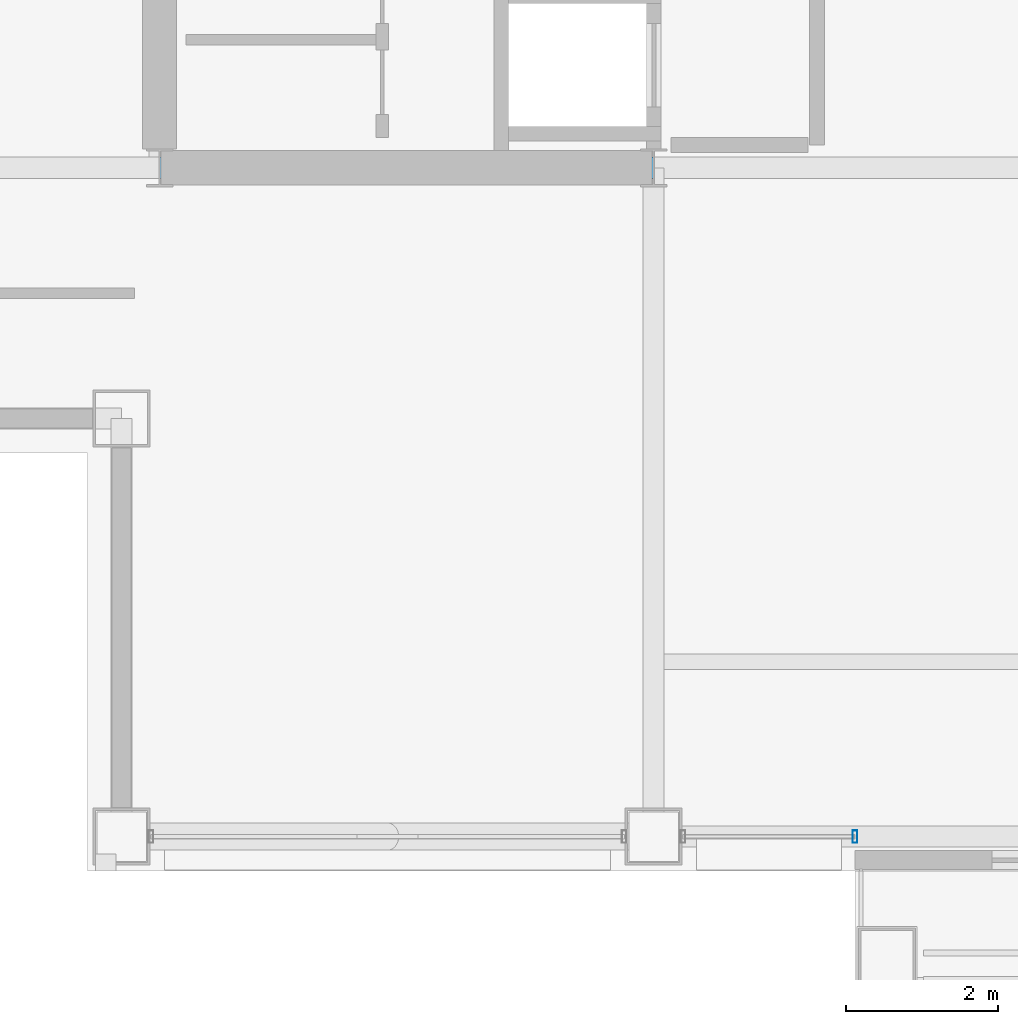
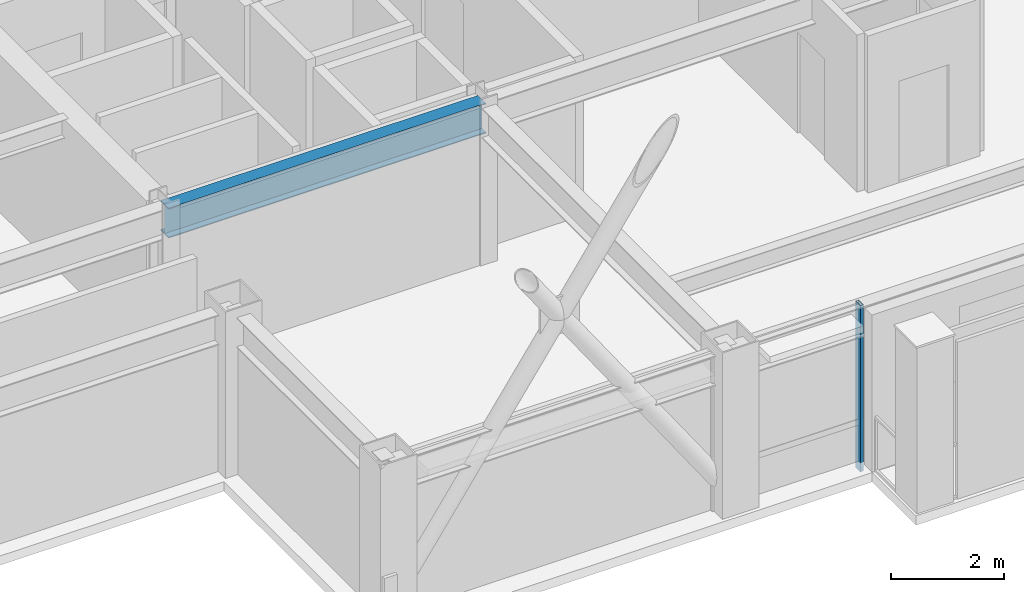
# One storey, part 6 of 30: 1 beam, 1 member, 1 element without a shape of its own.
"""IFC4 building model written with IfcOpenShell, lengths in metres."""

import ifcopenshell
import ifcopenshell.guid

model = None  # the IFC model being written
_history = None  # IfcOwnerHistory: only IFC2X3 demands one
_inside = {}  # id of a spatial element -> (the spatial element, [elements in it])
_under = {}  # id of a project, library or spatial element -> (it, [spatial elements below it])
_declared = {}  # id of a project -> (the project, [libraries it declares])
_typed = {}  # id of a type object -> (the type object, [elements of that type])
_made_of = {}  # id of a material, layer set ... -> (it, [elements and type objects made of it])


def new_model(schema):
    """Start an empty IFC model of exactly this schema.

    Asked for "IFC4X3", IfcOpenShell would pick the latest addendum, in which some entities
    have other attributes; the version numbers below select the first issue.
    IFC2X3 requires an IfcOwnerHistory on every rooted entity: one is made here for all.
    """
    global model, _history
    if schema == "IFC4X3":
        model = ifcopenshell.file(schema_version=(4, 3, 0, 0))
    else:
        model = ifcopenshell.file(schema=schema)
    _inside.clear()
    _under.clear()
    _declared.clear()
    _typed.clear()
    _made_of.clear()
    _history = None
    if model.schema == "IFC2X3":
        org = make("IfcOrganization", Name="unknown")
        user = make(
            "IfcPersonAndOrganization",
            ThePerson=make("IfcPerson", FamilyName="unknown"),
            TheOrganization=org,
        )
        app = make(
            "IfcApplication",
            ApplicationDeveloper=org,
            Version="unknown",
            ApplicationFullName="unknown",
            ApplicationIdentifier="unknown",
        )
        _history = make(
            "IfcOwnerHistory",
            OwningUser=user,
            OwningApplication=app,
            ChangeAction="ADDED",
            CreationDate=0,
        )
    return model


def make(cls, **values):
    """One entity of the class cls with the attributes given. An attribute that is None is left unset."""
    return model.create_entity(
        cls, **{name: value for name, value in values.items() if value is not None}
    )


def rooted(cls, **values):
    """An entity with a GlobalId (a new one), such as an element, a storey or a relation."""
    return make(cls, GlobalId=ifcopenshell.guid.new(), OwnerHistory=_history, **values)


def si_unit(unit_type, name, prefix=None):
    """IfcSIUnit, for example si_unit("LENGTHUNIT", "METRE", prefix="MILLI")."""
    return make("IfcSIUnit", UnitType=unit_type, Prefix=prefix, Name=name)


def assignment(units):
    """IfcUnitAssignment: the units of a project."""
    return None if units is None else make("IfcUnitAssignment", Units=units)


def point(xyz):
    """IfcCartesianPoint."""
    return None if xyz is None else make("IfcCartesianPoint", Coordinates=xyz)


def direction(xyz):
    """IfcDirection."""
    return None if xyz is None else make("IfcDirection", DirectionRatios=xyz)


def frame(location, z_axis=None, x_axis=None):
    """IfcAxis2Placement3D, a coordinate frame: its origin and axes. An axis left out is left unset."""
    return make(
        "IfcAxis2Placement3D",
        Location=point(location),
        Axis=direction(z_axis),
        RefDirection=direction(x_axis),
    )


def frame_2d(location, x_axis=None):
    """IfcAxis2Placement2D, a coordinate frame in the plane: its origin and x axis."""
    return make(
        "IfcAxis2Placement2D", Location=point(location), RefDirection=direction(x_axis)
    )


def origin():
    """The frame at (0, 0, 0) with its axes left unset."""
    return frame((0.0, 0.0, 0.0))


def origin_2d():
    """The frame at (0, 0) in the plane with its x axis left unset."""
    return frame_2d((0.0, 0.0))


def place(relative_to, where):
    """IfcLocalPlacement: puts the frame where relative to a parent placement (None: the world)."""
    return make(
        "IfcLocalPlacement", PlacementRelTo=relative_to, RelativePlacement=where
    )


def context(
    kind, dimensions, precision=None, world=None, true_north=None, identifier=None
):
    """IfcGeometricRepresentationContext, for example the 3D "Model" context."""
    return make(
        "IfcGeometricRepresentationContext",
        ContextIdentifier=identifier,
        ContextType=kind,
        CoordinateSpaceDimension=dimensions,
        Precision=precision,
        WorldCoordinateSystem=world,
        TrueNorth=true_north,
    )


def subcontext(parent, identifier, kind, view, scale=None):
    """IfcGeometricRepresentationSubContext, for example "Body" below "Model"."""
    return make(
        "IfcGeometricRepresentationSubContext",
        ContextIdentifier=identifier,
        ContextType=kind,
        ParentContext=parent,
        TargetScale=scale,
        TargetView=view,
    )


def project(units=None, contexts=None):
    """IfcProject with its units and contexts."""
    return rooted(
        "IfcProject",
        Name="project",
        RepresentationContexts=contexts,
        UnitsInContext=assignment(units),
    )


def spatial(cls, under=None, at=None, **own):
    """A site, building, storey or space (cls), placed at a placement, below another one or the project."""
    s = rooted(cls, ObjectPlacement=at, **own)
    if under is not None:
        _under.setdefault(under.id(), (under, []))[1].append(s)
    return s


def profile(cls, at=None, kind="AREA", **sizes):
    """A parametric profile (cls). Its sizes go by their IFC names, for example OverallWidth=200.0."""
    return make(cls, ProfileType=kind, Position=at, **sizes)


def hollow_rectangle(**sizes):
    """IfcRectangleHollowProfileDef."""
    return profile("IfcRectangleHollowProfileDef", **sizes)


def i_section(**sizes):
    """IfcIShapeProfileDef."""
    return profile("IfcIShapeProfileDef", **sizes)


def extrude(swept, where, along, depth):
    """IfcExtrudedAreaSolid: the profile swept, set in the frame where, extruded along a direction by depth."""
    return make(
        "IfcExtrudedAreaSolid",
        SweptArea=swept,
        Position=where,
        ExtrudedDirection=direction(along),
        Depth=depth,
    )


def shape(context_of_items, identifier, shape_type, items):
    """IfcShapeRepresentation: the items that make up one representation, for example the "Body"."""
    return make(
        "IfcShapeRepresentation",
        ContextOfItems=context_of_items,
        RepresentationIdentifier=identifier,
        RepresentationType=shape_type,
        Items=items,
    )


def material(Name=None, Category=None):
    """IfcMaterial."""
    return make("IfcMaterial", Name=Name, Category=Category)


def layer(
    of_material, thickness, ventilated=None, Name=None, Category=None, Priority=None
):
    """IfcMaterialLayer: one layer of a wall or slab, of a material (None: an air gap)."""
    return make(
        "IfcMaterialLayer",
        Material=of_material,
        LayerThickness=thickness,
        IsVentilated=ventilated,
        Name=Name,
        Category=Category,
        Priority=Priority,
    )


def layer_set(layers, Name=None):
    """IfcMaterialLayerSet."""
    return make("IfcMaterialLayerSet", MaterialLayers=layers, LayerSetName=Name)


def material_profile(
    of_material, cross_section, Name=None, Category=None, Priority=None
):
    """IfcMaterialProfile: a cross section and its material."""
    return make(
        "IfcMaterialProfile",
        Name=Name,
        Material=of_material,
        Profile=cross_section,
        Priority=Priority,
        Category=Category,
    )


def profile_set(profiles, Name=None, composite=None):
    """IfcMaterialProfileSet."""
    return make(
        "IfcMaterialProfileSet",
        Name=Name,
        MaterialProfiles=profiles,
        CompositeProfile=composite,
    )


def made_of(thing, what):
    """Note that an element or type object is made of a material, layer set ...; save() writes the relation."""
    if what is not None:
        _made_of.setdefault(what.id(), (what, []))[1].append(thing)
    return thing


def type_object(cls, material=None, **own):
    """A type object (cls), such as IfcWallType, which elements share."""
    return made_of(rooted(cls, **own), material)


def element(
    cls,
    number,
    at=None,
    inside=None,
    cuts=None,
    type_object=None,
    material=None,
    context=None,
    identifier="Body",
    shape_type=None,
    held_by="IfcProductDefinitionShape",
    body=None,
    shapes=None,
    **own,
):
    """One element of the class cls, such as IfcWall. Its Tag is "e" and its number.

    at: its placement. inside: the storey or other place that contains it. cuts: it is an
    opening in that element (IfcRelVoidsElement). A single representation is given by context,
    identifier, shape_type and body (its items); several are given by shapes. held_by: the class
    of the entity that holds the representations. save() writes the other relations.
    """
    e = rooted(cls, Tag="e%d" % number, ObjectPlacement=at, **own)
    if body is not None:
        shapes = [shape(context, identifier, shape_type, body)]
    if shapes is not None:
        e.Representation = make(held_by, Representations=shapes)
    if inside is not None:
        _inside.setdefault(inside.id(), (inside, []))[1].append(e)
    if cuts is not None:
        rooted(
            "IfcRelVoidsElement", RelatingBuildingElement=cuts, RelatedOpeningElement=e
        )
    if type_object is not None:
        _typed.setdefault(type_object.id(), (type_object, []))[1].append(e)
    return made_of(e, material)


def aggregate(whole, parts):
    """IfcRelAggregates: a whole, such as a stair, and the parts it consists of."""
    return rooted("IfcRelAggregates", RelatingObject=whole, RelatedObjects=parts)


def save(model, path):
    """Write the relations noted so far, then the file.

    IfcRelAggregates (storeys below a building ...), IfcRelContainedInSpatialStructure (elements
    in a storey), IfcRelDefinesByType, IfcRelAssociatesMaterial and IfcRelDeclares: one each for
    every whole, place, type object, material and project.
    """
    for whole, parts in _under.values():
        aggregate(whole, parts)
    for where, things in _inside.values():
        rooted(
            "IfcRelContainedInSpatialStructure",
            RelatedElements=things,
            RelatingStructure=where,
        )
    for kind, things in _typed.values():
        rooted("IfcRelDefinesByType", RelatedObjects=things, RelatingType=kind)
    for what, things in _made_of.values():
        rooted("IfcRelAssociatesMaterial", RelatedObjects=things, RelatingMaterial=what)
    for by, libraries in _declared.values():
        rooted("IfcRelDeclares", RelatingContext=by, RelatedDefinitions=libraries)
    model.write(path)


model = new_model("IFC4")

# Units and contexts
model_context = context("Model", 3, precision=1e-05, world=origin(), true_north=direction((0.0, 1.0)))
body_context = subcontext(model_context, "Body", "Model", "MODEL_VIEW")
ifc_project = project(units=[si_unit("LENGTHUNIT", "METRE"), si_unit("AREAUNIT", "SQUARE_METRE"), si_unit("VOLUMEUNIT", "CUBIC_METRE"), si_unit("PLANEANGLEUNIT", "RADIAN"), si_unit("MASSUNIT", "GRAM", prefix="KILO")], contexts=[model_context])

# Site, building, storey
site_placement = place(None, origin())
site = spatial("IfcSite", under=ifc_project, at=site_placement, CompositionType="ELEMENT")
building_placement = place(site_placement, origin())
building = spatial("IfcBuilding", under=site, at=building_placement, Name="Brelmoor Portico Tower", CompositionType="ELEMENT")
storey_placement = place(building_placement, frame((0.0, 0.0, 173.10009765625)))
storey = spatial("IfcBuildingStorey", under=building, at=storey_placement, Name="L45", CompositionType="ELEMENT", Elevation=173.10009765625)

# Beam
ifc_material_1 = material(Name="Steel Q355B", Category="steel")
ifc_material_profile_1 = material_profile(ifc_material_1, i_section(OverallWidth=0.280029296875, OverallDepth=0.64990234375, WebThickness=0.012939453125, FlangeThickness=0.02197265625, at=origin_2d()), Name="HN 650x280x13x22")
ifc_profile_set_1 = profile_set([ifc_material_profile_1], Name="Steel Q355B")
beam_type = type_object("IfcBeamType", Name="BM-PG-650", PredefinedType="BEAM", material=ifc_profile_set_1)
beam_placement = place(storey_placement, frame((-14.550048828125, -9.75, 3.074951171875), z_axis=(1.0, 0.0, 0.0), x_axis=(0.0, 1.0, 0.0)))
element("IfcBeam", 1, at=beam_placement, inside=storey, type_object=beam_type, Name="L45 Primary Floor Girder PG-12", PredefinedType="BEAM", context=body_context, shape_type="SweptSolid", body=[
    extrude(i_section(OverallWidth=0.280029296875, OverallDepth=0.64990234375, WebThickness=0.012939453125, FlangeThickness=0.02197265625, at=origin_2d()), origin(), (0.0, 0.0, 1.0), 6.5),
])

# Curtain wall, member
ifc_material_2 = material(Name="Anodised Aluminium Alloy 6063-T6", Category="aluminium")
ifc_layer = layer(ifc_material_2, 0.179931640625)
ifc_layer_set = layer_set([ifc_layer], Name="Anodised Aluminium Alloy 6063-T6")
curtain_wall_type = type_object("IfcCurtainWallType", Name="CW-TOWER-Z3", PredefinedType="NOTDEFINED", material=ifc_layer_set)
curtain_wall_placement = place(storey_placement, origin())
curtain_wall = element("IfcCurtainWall", 2, at=curtain_wall_placement, inside=storey, type_object=curtain_wall_type, Name="L45 Curtain Wall CW-L45-1L-2", PredefinedType="NOTDEFINED")
ifc_material_profile_2 = material_profile(ifc_material_2, hollow_rectangle(XDim=0.06494140625, YDim=0.1650390625, WallThickness=0.00390625, at=origin_2d()), Name="ALU MULLION 65x165")
ifc_profile_set_2 = profile_set([ifc_material_profile_2], Name="Anodised Aluminium Alloy 6063-T6")
member_type = type_object("IfcMemberType", Name="MB-CW-MULL-165", PredefinedType="MULLION", material=ifc_profile_set_2)
member_placement = place(storey_placement, frame((-5.39990234375, -18.550048828125, -0.2001953125), z_axis=(0.0, 0.0, 1.0), x_axis=(1.0, 0.0, 0.0)))
member = element("IfcMember", 3, at=member_placement, type_object=member_type, Name="CW-L45-1L-2 Mullion 01", PredefinedType="MULLION", context=body_context, shape_type="SweptSolid", body=[
    extrude(hollow_rectangle(XDim=0.06494140625, YDim=0.1650390625, WallThickness=0.00390625, at=origin_2d()), origin(), (0.0, 0.0, 1.0), 3.60009765625),
])
aggregate(curtain_wall, [member])

save(model, "model.ifc")
